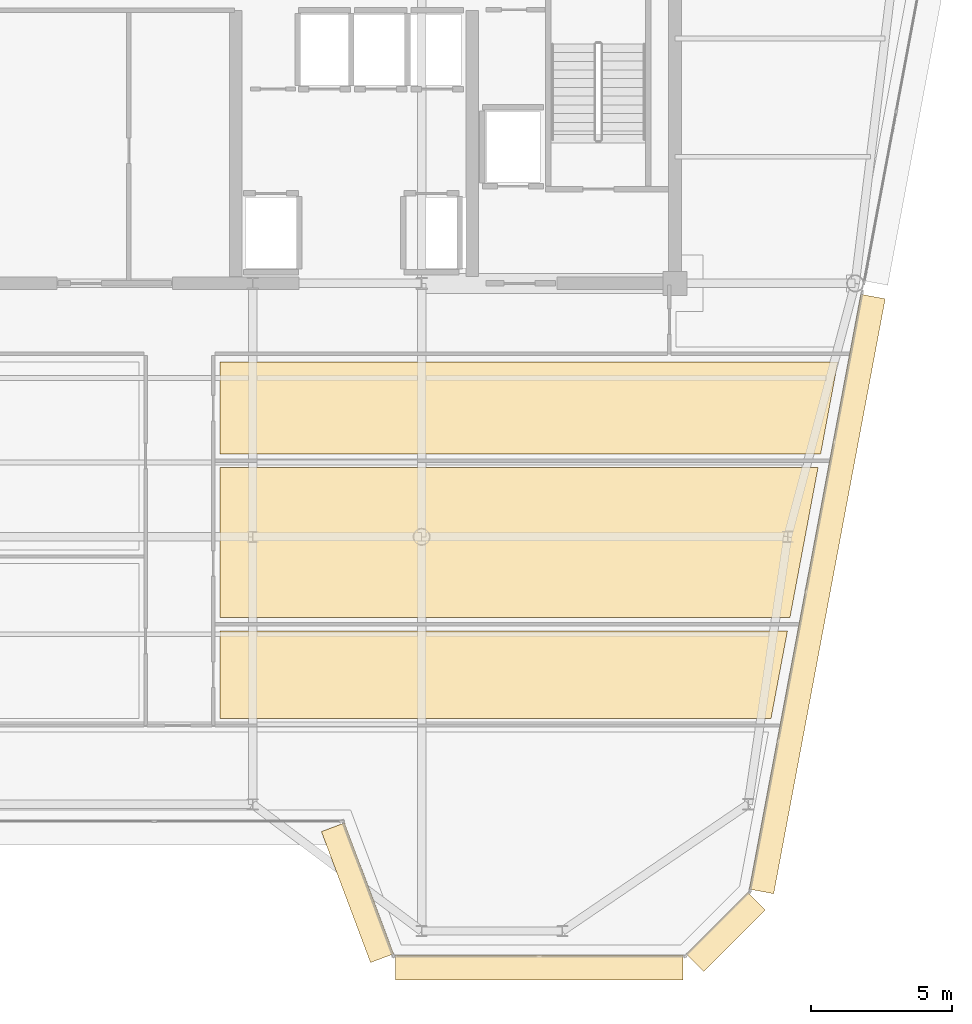
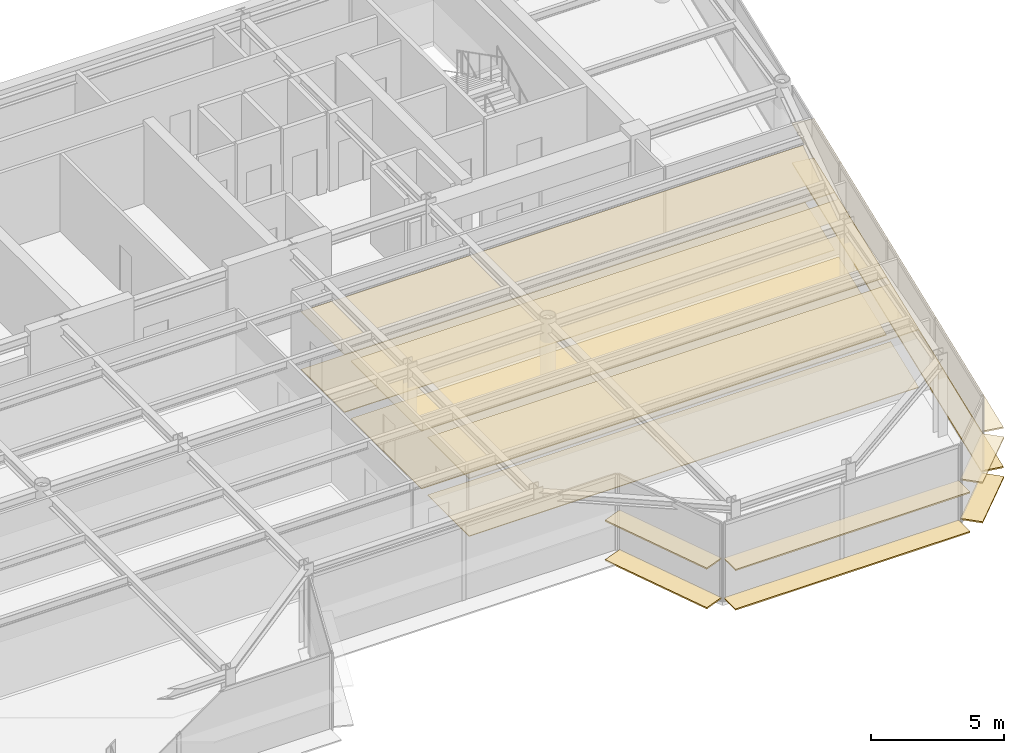
# One storey, part 16 of 20: 14 coverings.
"""IFC4 building model written with IfcOpenShell, lengths in metres."""

from ifc_helpers import new_model, si_unit, direction, frame, origin, origin_2d, place, context, subcontext, project, spatial, polyline, rectangle, outline, extrude, source, transform, mapped, material, layer, layer_set, type_object, element, save


model = new_model("IFC4")

# Units and contexts
model_context = context("Model", 3, precision=1e-05, world=origin(), true_north=direction((0.0, 1.0)))
body_context = subcontext(model_context, "Body", "Model", "MODEL_VIEW")
ifc_project = project(units=[si_unit("LENGTHUNIT", "METRE"), si_unit("AREAUNIT", "SQUARE_METRE"), si_unit("VOLUMEUNIT", "CUBIC_METRE"), si_unit("PLANEANGLEUNIT", "RADIAN"), si_unit("MASSUNIT", "GRAM", prefix="KILO")], contexts=[model_context])

# Site, building, storey
site_placement = place(None, origin())
site = spatial("IfcSite", under=ifc_project, at=site_placement, CompositionType="ELEMENT")
building_placement = place(site_placement, origin())
building = spatial("IfcBuilding", under=site, at=building_placement, Name="Vaeldorn Concourse Tower", CompositionType="ELEMENT")
storey_placement = place(building_placement, frame((0.0, 0.0, 280.199951171875)))
storey = spatial("IfcBuildingStorey", under=building, at=storey_placement, Name="L72", CompositionType="ELEMENT", Elevation=280.199951171875)

# Coverings
ifc_material_1 = material(Name="Acoustic Mineral Fibre Board", Category="gypsum")
ifc_layer_1 = layer(ifc_material_1, 0.0400390625)
ifc_layer_set_1 = layer_set([ifc_layer_1], Name="Acoustic Mineral Fibre Board")
covering_type_1 = type_object("IfcCoveringType", Name="COV-CEIL-ACOUSTIC", PredefinedType="CEILING", material=ifc_layer_set_1)
covering_1_placement = place(storey_placement, frame((0.0, 0.0, 2.650146484375)))
element("IfcCovering", 1, at=covering_1_placement, inside=storey, type_object=covering_type_1, Name="Suspended Acoustic Ceiling L72-8", PredefinedType="CEILING", context=body_context, shape_type="SweptSolid", body=[
    extrude(outline(polyline([(37.840087890625, 21.0400390625), (37.840087890625, 24.159912109375), (57.992919921875, 24.159912109375), (57.407958984375, 21.0400390625), (37.840087890625, 21.0400390625)])), origin(), (0.0, 0.0, 1.0), 0.039794921875),
])
covering_2_placement = place(storey_placement, frame((0.0, 0.0, 2.650146484375)))
element("IfcCovering", 2, at=covering_2_placement, inside=storey, type_object=covering_type_1, Name="Suspended Acoustic Ceiling L72-9", PredefinedType="CEILING", context=body_context, shape_type="SweptSolid", body=[
    extrude(outline(polyline([(37.840087890625, 24.639892578125), (37.840087890625, 29.9599609375), (59.080078125, 29.9599609375), (58.082763671875, 24.639892578125), (37.840087890625, 24.639892578125)])), origin(), (0.0, 0.0, 1.0), 0.039794921875),
])
covering_3_placement = place(storey_placement, frame((0.0, 0.0, 2.650146484375)))
element("IfcCovering", 3, at=covering_3_placement, inside=storey, type_object=covering_type_1, Name="Suspended Acoustic Ceiling L72-10", PredefinedType="CEILING", context=body_context, shape_type="SweptSolid", body=[
    extrude(outline(polyline([(37.840087890625, 30.43994140625), (37.840087890625, 33.699951171875), (59.78125, 33.699951171875), (59.170166015625, 30.43994140625), (37.840087890625, 30.43994140625)])), origin(), (0.0, 0.0, 1.0), 0.039794921875),
])
ifc_material_2 = material(Name="Honed Limestone Terrazzo Flooring", Category="masonry")
ifc_layer_2 = layer(ifc_material_2, 0.0400390625)
ifc_layer_set_2 = layer_set([ifc_layer_2], Name="Honed Limestone Terrazzo Flooring")
covering_type_2 = type_object("IfcCoveringType", Name="COV-FLOOR-STONE", PredefinedType="FLOORING", material=ifc_layer_set_2)
covering_4_placement = place(storey_placement, origin())
element("IfcCovering", 4, at=covering_4_placement, inside=storey, type_object=covering_type_2, Name="Floor Finish Covering L72-8", PredefinedType="FLOORING", context=body_context, shape_type="SweptSolid", body=[
    extrude(outline(polyline([(37.840087890625, 21.0400390625), (37.840087890625, 24.159912109375), (57.992919921875, 24.159912109375), (57.407958984375, 21.0400390625), (37.840087890625, 21.0400390625)])), origin(), (0.0, 0.0, 1.0), 0.030029296875),
])
covering_5_placement = place(storey_placement, origin())
element("IfcCovering", 5, at=covering_5_placement, inside=storey, type_object=covering_type_2, Name="Floor Finish Covering L72-9", PredefinedType="FLOORING", context=body_context, shape_type="SweptSolid", body=[
    extrude(outline(polyline([(37.840087890625, 24.639892578125), (37.840087890625, 29.9599609375), (59.080078125, 29.9599609375), (58.082763671875, 24.639892578125), (37.840087890625, 24.639892578125)])), origin(), (0.0, 0.0, 1.0), 0.030029296875),
])
covering_6_placement = place(storey_placement, origin())
element("IfcCovering", 6, at=covering_6_placement, inside=storey, type_object=covering_type_2, Name="Floor Finish Covering L72-10", PredefinedType="FLOORING", context=body_context, shape_type="SweptSolid", body=[
    extrude(outline(polyline([(37.840087890625, 30.43994140625), (37.840087890625, 33.699951171875), (59.78125, 33.699951171875), (59.170166015625, 30.43994140625), (37.840087890625, 30.43994140625)])), origin(), (0.0, 0.0, 1.0), 0.030029296875),
])
ifc_material_3 = material(Name="Anodised Bronze Aluminium", Category="aluminium")
ifc_layer_3 = layer(ifc_material_3, 0.06494140625)
ifc_layer_set_3 = layer_set([ifc_layer_3], Name="Anodised Bronze Aluminium")
covering_type_3 = type_object("IfcCoveringType", Name="SD-BRONZE-SUNSHADE", PredefinedType="USERDEFINED", material=ifc_layer_set_3)
shared_shape_1 = source(origin(), body_context, "Body", "SweptSolid", [
    extrude(rectangle(XDim=4.96630859375, YDim=0.8798828125, at=origin_2d()), origin(), (0.0, 0.0, 1.0), 0.06494140625),
])
for number, where, z_axis, x_axis, name in (
    (7, (42.7255859375, 14.859619140625, 0.047607421875), (0.0, 0.0, 1.0), (0.351122702609, -0.936329454686, 0.0), "Horizontal Bronze Sunshade L72-E04.1.1"),
    (8, (42.7255859375, 14.859619140625, 1.86767578125), (0.0, 0.0, 1.0), (0.351122702609, -0.936329454686, 0.0), "Horizontal Bronze Sunshade L72-E04.1.2"),
):
    element("IfcCovering", number, at=place(storey_placement, frame(where, z_axis=z_axis, x_axis=x_axis)), inside=storey, type_object=covering_type_3, Name=name, ObjectType="SUNSHADE", PredefinedType="USERDEFINED", context=body_context, shape_type="MappedRepresentation", body=[
        mapped(shared_shape_1, transform((0.0, 0.0, 0.0), scale=1.0)),
    ])
shared_shape_2 = source(origin(), body_context, "Body", "SweptSolid", [
    extrude(rectangle(XDim=3.0927734375, YDim=0.8798828125, at=origin_2d()), origin(), (0.0, 0.0, 1.0), 0.06494140625),
])
for number, where, z_axis, x_axis, name in (
    (9, (55.796875, 13.46728515625, 0.047607421875), (0.0, 0.0, 1.0), (0.707106781187, 0.707106781187, 0.0), "Horizontal Bronze Sunshade L72-E06.1.1"),
    (10, (55.796875, 13.46728515625, 1.86767578125), (0.0, 0.0, 1.0), (0.707106781187, 0.707106781187, 0.0), "Horizontal Bronze Sunshade L72-E06.1.2"),
):
    element("IfcCovering", number, at=place(storey_placement, frame(where, z_axis=z_axis, x_axis=x_axis)), inside=storey, type_object=covering_type_3, Name=name, ObjectType="SUNSHADE", PredefinedType="USERDEFINED", context=body_context, shape_type="MappedRepresentation", body=[
        mapped(shared_shape_2, transform((0.0, 0.0, 0.0), scale=1.0)),
    ])
shared_shape_3 = source(origin(), body_context, "Body", "SweptSolid", [
    extrude(rectangle(XDim=21.49560546875, YDim=0.8798828125, at=origin_2d()), origin(), (0.0, 0.0, 1.0), 0.06494140625),
])
for number, where, z_axis, x_axis, name in (
    (11, (59.05224609375, 25.46875, 0.047607421875), (0.0, 0.0, 1.0), (0.1842429853, 0.98288072642, 0.0), "Horizontal Bronze Sunshade L72-E07.1.1"),
    (12, (59.05224609375, 25.46875, 1.86767578125), (0.0, 0.0, 1.0), (0.1842429853, 0.98288072642, 0.0), "Horizontal Bronze Sunshade L72-E07.1.2"),
):
    element("IfcCovering", number, at=place(storey_placement, frame(where, z_axis=z_axis, x_axis=x_axis)), inside=storey, type_object=covering_type_3, Name=name, ObjectType="SUNSHADE", PredefinedType="USERDEFINED", context=body_context, shape_type="MappedRepresentation", body=[
        mapped(shared_shape_3, transform((0.0, 0.0, 0.0), scale=1.0)),
    ])
shared_shape_4 = source(origin(), body_context, "Body", "SweptSolid", [
    extrude(rectangle(XDim=10.2041015625, YDim=0.8798828125, at=origin_2d()), origin(), (0.0, 0.0, 1.0), 0.06494140625),
])
for number, where, z_axis, x_axis, name in (
    (13, (49.181884765625, 12.199951171875, 0.047607421875), (0.0, 0.0, 1.0), (1.0, 0.0, 0.0), "Horizontal Bronze Sunshade L72-E05.1.1"),
    (14, (49.181884765625, 12.199951171875, 1.86767578125), (0.0, 0.0, 1.0), (1.0, 0.0, 0.0), "Horizontal Bronze Sunshade L72-E05.1.2"),
):
    element("IfcCovering", number, at=place(storey_placement, frame(where, z_axis=z_axis, x_axis=x_axis)), inside=storey, type_object=covering_type_3, Name=name, ObjectType="SUNSHADE", PredefinedType="USERDEFINED", context=body_context, shape_type="MappedRepresentation", body=[
        mapped(shared_shape_4, transform((0.0, 0.0, 0.0), scale=1.0)),
    ])

save(model, "model.ifc")
